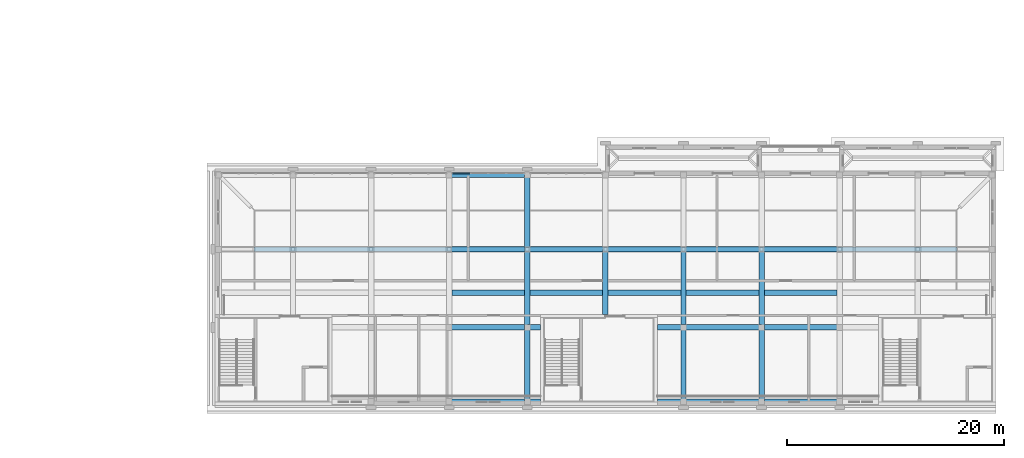
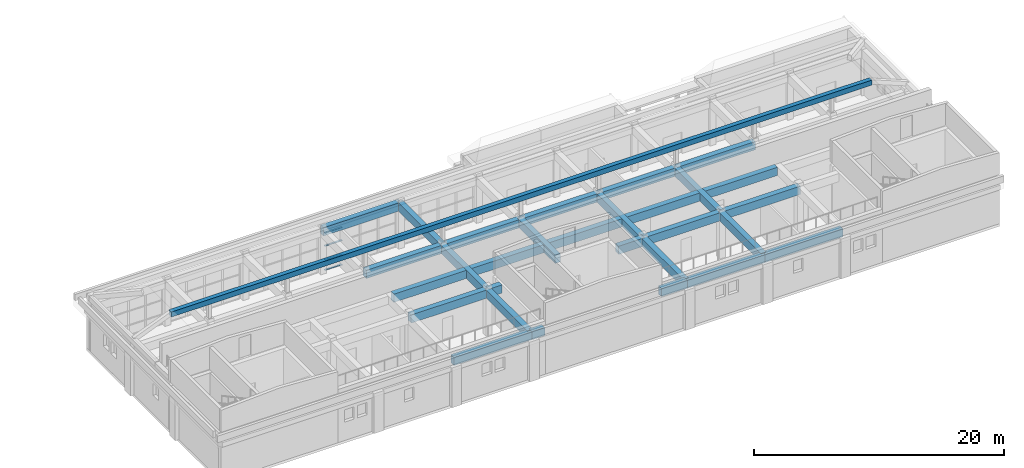
# One storey, part 9 of 48: 30 beams, 4 members, 1 element without a shape of its own.
"""IFC4 building model written with IfcOpenShell, lengths in metres."""

import ifcopenshell
import ifcopenshell.guid

model = None  # the IFC model being written
_history = None  # IfcOwnerHistory: only IFC2X3 demands one
_inside = {}  # id of a spatial element -> (the spatial element, [elements in it])
_under = {}  # id of a project, library or spatial element -> (it, [spatial elements below it])
_declared = {}  # id of a project -> (the project, [libraries it declares])
_typed = {}  # id of a type object -> (the type object, [elements of that type])
_made_of = {}  # id of a material, layer set ... -> (it, [elements and type objects made of it])


def new_model(schema):
    """Start an empty IFC model of exactly this schema.

    Asked for "IFC4X3", IfcOpenShell would pick the latest addendum, in which some entities
    have other attributes; the version numbers below select the first issue.
    IFC2X3 requires an IfcOwnerHistory on every rooted entity: one is made here for all.
    """
    global model, _history
    if schema == "IFC4X3":
        model = ifcopenshell.file(schema_version=(4, 3, 0, 0))
    else:
        model = ifcopenshell.file(schema=schema)
    _inside.clear()
    _under.clear()
    _declared.clear()
    _typed.clear()
    _made_of.clear()
    _history = None
    if model.schema == "IFC2X3":
        org = make("IfcOrganization", Name="unknown")
        user = make(
            "IfcPersonAndOrganization",
            ThePerson=make("IfcPerson", FamilyName="unknown"),
            TheOrganization=org,
        )
        app = make(
            "IfcApplication",
            ApplicationDeveloper=org,
            Version="unknown",
            ApplicationFullName="unknown",
            ApplicationIdentifier="unknown",
        )
        _history = make(
            "IfcOwnerHistory",
            OwningUser=user,
            OwningApplication=app,
            ChangeAction="ADDED",
            CreationDate=0,
        )
    return model


def make(cls, **values):
    """One entity of the class cls with the attributes given. An attribute that is None is left unset."""
    return model.create_entity(
        cls, **{name: value for name, value in values.items() if value is not None}
    )


def rooted(cls, **values):
    """An entity with a GlobalId (a new one), such as an element, a storey or a relation."""
    return make(cls, GlobalId=ifcopenshell.guid.new(), OwnerHistory=_history, **values)


def si_unit(unit_type, name, prefix=None):
    """IfcSIUnit, for example si_unit("LENGTHUNIT", "METRE", prefix="MILLI")."""
    return make("IfcSIUnit", UnitType=unit_type, Prefix=prefix, Name=name)


def assignment(units):
    """IfcUnitAssignment: the units of a project."""
    return None if units is None else make("IfcUnitAssignment", Units=units)


def point(xyz):
    """IfcCartesianPoint."""
    return None if xyz is None else make("IfcCartesianPoint", Coordinates=xyz)


def direction(xyz):
    """IfcDirection."""
    return None if xyz is None else make("IfcDirection", DirectionRatios=xyz)


def frame(location, z_axis=None, x_axis=None):
    """IfcAxis2Placement3D, a coordinate frame: its origin and axes. An axis left out is left unset."""
    return make(
        "IfcAxis2Placement3D",
        Location=point(location),
        Axis=direction(z_axis),
        RefDirection=direction(x_axis),
    )


def frame_2d(location, x_axis=None):
    """IfcAxis2Placement2D, a coordinate frame in the plane: its origin and x axis."""
    return make(
        "IfcAxis2Placement2D", Location=point(location), RefDirection=direction(x_axis)
    )


def origin():
    """The frame at (0, 0, 0) with its axes left unset."""
    return frame((0.0, 0.0, 0.0))


def origin_2d():
    """The frame at (0, 0) in the plane with its x axis left unset."""
    return frame_2d((0.0, 0.0))


def place(relative_to, where):
    """IfcLocalPlacement: puts the frame where relative to a parent placement (None: the world)."""
    return make(
        "IfcLocalPlacement", PlacementRelTo=relative_to, RelativePlacement=where
    )


def context(
    kind, dimensions, precision=None, world=None, true_north=None, identifier=None
):
    """IfcGeometricRepresentationContext, for example the 3D "Model" context."""
    return make(
        "IfcGeometricRepresentationContext",
        ContextIdentifier=identifier,
        ContextType=kind,
        CoordinateSpaceDimension=dimensions,
        Precision=precision,
        WorldCoordinateSystem=world,
        TrueNorth=true_north,
    )


def subcontext(parent, identifier, kind, view, scale=None):
    """IfcGeometricRepresentationSubContext, for example "Body" below "Model"."""
    return make(
        "IfcGeometricRepresentationSubContext",
        ContextIdentifier=identifier,
        ContextType=kind,
        ParentContext=parent,
        TargetScale=scale,
        TargetView=view,
    )


def project(units=None, contexts=None):
    """IfcProject with its units and contexts."""
    return rooted(
        "IfcProject",
        Name="project",
        RepresentationContexts=contexts,
        UnitsInContext=assignment(units),
    )


def spatial(cls, under=None, at=None, **own):
    """A site, building, storey or space (cls), placed at a placement, below another one or the project."""
    s = rooted(cls, ObjectPlacement=at, **own)
    if under is not None:
        _under.setdefault(under.id(), (under, []))[1].append(s)
    return s


def profile(cls, at=None, kind="AREA", **sizes):
    """A parametric profile (cls). Its sizes go by their IFC names, for example OverallWidth=200.0."""
    return make(cls, ProfileType=kind, Position=at, **sizes)


def rectangle(**sizes):
    """IfcRectangleProfileDef."""
    return profile("IfcRectangleProfileDef", **sizes)


def extrude(swept, where, along, depth):
    """IfcExtrudedAreaSolid: the profile swept, set in the frame where, extruded along a direction by depth."""
    return make(
        "IfcExtrudedAreaSolid",
        SweptArea=swept,
        Position=where,
        ExtrudedDirection=direction(along),
        Depth=depth,
    )


def shape(context_of_items, identifier, shape_type, items):
    """IfcShapeRepresentation: the items that make up one representation, for example the "Body"."""
    return make(
        "IfcShapeRepresentation",
        ContextOfItems=context_of_items,
        RepresentationIdentifier=identifier,
        RepresentationType=shape_type,
        Items=items,
    )


def material(Name=None, Category=None):
    """IfcMaterial."""
    return make("IfcMaterial", Name=Name, Category=Category)


def material_profile(
    of_material, cross_section, Name=None, Category=None, Priority=None
):
    """IfcMaterialProfile: a cross section and its material."""
    return make(
        "IfcMaterialProfile",
        Name=Name,
        Material=of_material,
        Profile=cross_section,
        Priority=Priority,
        Category=Category,
    )


def profile_set(profiles, Name=None, composite=None):
    """IfcMaterialProfileSet."""
    return make(
        "IfcMaterialProfileSet",
        Name=Name,
        MaterialProfiles=profiles,
        CompositeProfile=composite,
    )


def made_of(thing, what):
    """Note that an element or type object is made of a material, layer set ...; save() writes the relation."""
    if what is not None:
        _made_of.setdefault(what.id(), (what, []))[1].append(thing)
    return thing


def type_object(cls, material=None, **own):
    """A type object (cls), such as IfcWallType, which elements share."""
    return made_of(rooted(cls, **own), material)


def element(
    cls,
    number,
    at=None,
    inside=None,
    cuts=None,
    type_object=None,
    material=None,
    context=None,
    identifier="Body",
    shape_type=None,
    held_by="IfcProductDefinitionShape",
    body=None,
    shapes=None,
    **own,
):
    """One element of the class cls, such as IfcWall. Its Tag is "e" and its number.

    at: its placement. inside: the storey or other place that contains it. cuts: it is an
    opening in that element (IfcRelVoidsElement). A single representation is given by context,
    identifier, shape_type and body (its items); several are given by shapes. held_by: the class
    of the entity that holds the representations. save() writes the other relations.
    """
    e = rooted(cls, Tag="e%d" % number, ObjectPlacement=at, **own)
    if body is not None:
        shapes = [shape(context, identifier, shape_type, body)]
    if shapes is not None:
        e.Representation = make(held_by, Representations=shapes)
    if inside is not None:
        _inside.setdefault(inside.id(), (inside, []))[1].append(e)
    if cuts is not None:
        rooted(
            "IfcRelVoidsElement", RelatingBuildingElement=cuts, RelatedOpeningElement=e
        )
    if type_object is not None:
        _typed.setdefault(type_object.id(), (type_object, []))[1].append(e)
    return made_of(e, material)


def aggregate(whole, parts):
    """IfcRelAggregates: a whole, such as a stair, and the parts it consists of."""
    return rooted("IfcRelAggregates", RelatingObject=whole, RelatedObjects=parts)


def save(model, path):
    """Write the relations noted so far, then the file.

    IfcRelAggregates (storeys below a building ...), IfcRelContainedInSpatialStructure (elements
    in a storey), IfcRelDefinesByType, IfcRelAssociatesMaterial and IfcRelDeclares: one each for
    every whole, place, type object, material and project.
    """
    for whole, parts in _under.values():
        aggregate(whole, parts)
    for where, things in _inside.values():
        rooted(
            "IfcRelContainedInSpatialStructure",
            RelatedElements=things,
            RelatingStructure=where,
        )
    for kind, things in _typed.values():
        rooted("IfcRelDefinesByType", RelatedObjects=things, RelatingType=kind)
    for what, things in _made_of.values():
        rooted("IfcRelAssociatesMaterial", RelatedObjects=things, RelatingMaterial=what)
    for by, libraries in _declared.values():
        rooted("IfcRelDeclares", RelatingContext=by, RelatedDefinitions=libraries)
    model.write(path)


model = new_model("IFC4")

# Units and contexts
model_context = context("Model", 3, precision=1e-05, world=origin(), true_north=direction((0.0, 1.0)))
body_context = subcontext(model_context, "Body", "Model", "MODEL_VIEW")
ifc_project = project(units=[si_unit("LENGTHUNIT", "METRE"), si_unit("AREAUNIT", "SQUARE_METRE"), si_unit("VOLUMEUNIT", "CUBIC_METRE"), si_unit("PLANEANGLEUNIT", "RADIAN"), si_unit("MASSUNIT", "GRAM", prefix="KILO")], contexts=[model_context])

# Site, building, storey
site_placement = place(None, origin())
site = spatial("IfcSite", under=ifc_project, at=site_placement, CompositionType="ELEMENT")
building_placement = place(site_placement, origin())
building = spatial("IfcBuilding", under=site, at=building_placement, Name="Alderwick Market Hall", CompositionType="ELEMENT")
storey_placement = place(building_placement, frame((0.0, 0.0, 14.39990234375)))
storey = spatial("IfcBuildingStorey", under=building, at=storey_placement, Name="L02", CompositionType="ELEMENT", Elevation=14.39990234375)

# Curtain wall, members
ifc_material_1 = material(Name="C Curtain Wall 1800 module")
curtain_wall_type = type_object("IfcCurtainWallType", Name="C Curtain Wall 1800 module", PredefinedType="NOTDEFINED", material=ifc_material_1)
curtain_wall_placement = place(storey_placement, origin())
curtain_wall = element("IfcCurtainWall", 1, at=curtain_wall_placement, inside=storey, type_object=curtain_wall_type, Name="C.cw.L02.05", PredefinedType="NOTDEFINED")
ifc_material_2 = material(Name="Aluminium alloy 6063-T6", Category="aluminium")
ifc_material_profile_1 = material_profile(ifc_material_2, rectangle(XDim=0.1201171875, YDim=0.06005859375, at=origin_2d()), Name="AL 60x120")
ifc_profile_set_1 = profile_set([ifc_material_profile_1], Name="Aluminium alloy 6063-T6")
member_type = type_object("IfcMemberType", Name="C Curtain Wall Transom 60x120", PredefinedType="USERDEFINED", material=ifc_profile_set_1)
member_1_placement = place(storey_placement, frame((180.3349609375, 28.60009765625, 0.030029296875), z_axis=(1.0, 0.0, 0.0), x_axis=(0.0, 1.0, 0.0)))
member_1 = element("IfcMember", 2, at=member_1_placement, type_object=member_type, Name="C-CW transom 1.1", ObjectType="TRANSOM", PredefinedType="USERDEFINED", context=body_context, shape_type="SweptSolid", body=[
    extrude(rectangle(XDim=0.1201171875, YDim=0.06005859375, at=origin_2d()), origin(), (0.0, 0.0, 1.0), 1.572509765625),
])
member_2_placement = place(storey_placement, frame((180.3349609375, 28.60009765625, 1.0), z_axis=(1.0, 0.0, 0.0), x_axis=(0.0, 1.0, 0.0)))
member_2 = element("IfcMember", 3, at=member_2_placement, type_object=member_type, Name="C-CW transom 1.2", ObjectType="TRANSOM", PredefinedType="USERDEFINED", context=body_context, shape_type="SweptSolid", body=[
    extrude(rectangle(XDim=0.1201171875, YDim=0.06005859375, at=origin_2d()), origin(), (0.0, 0.0, 1.0), 1.572509765625),
])
member_3_placement = place(storey_placement, frame((180.3349609375, 28.60009765625, 2.400146484375), z_axis=(1.0, 0.0, 0.0), x_axis=(0.0, 1.0, 0.0)))
member_3 = element("IfcMember", 4, at=member_3_placement, type_object=member_type, Name="C-CW transom 1.3", ObjectType="TRANSOM", PredefinedType="USERDEFINED", context=body_context, shape_type="SweptSolid", body=[
    extrude(rectangle(XDim=0.1201171875, YDim=0.06005859375, at=origin_2d()), origin(), (0.0, 0.0, 1.0), 1.572509765625),
])
member_4_placement = place(storey_placement, frame((180.3349609375, 28.60009765625, 3.670166015625), z_axis=(1.0, 0.0, 0.0), x_axis=(0.0, 1.0, 0.0)))
member_4 = element("IfcMember", 5, at=member_4_placement, type_object=member_type, Name="C-CW transom 1.4", ObjectType="TRANSOM", PredefinedType="USERDEFINED", context=body_context, shape_type="SweptSolid", body=[
    extrude(rectangle(XDim=0.1201171875, YDim=0.06005859375, at=origin_2d()), origin(), (0.0, 0.0, 1.0), 1.572509765625),
])
aggregate(curtain_wall, [member_1, member_2, member_3, member_4])

# Beams
ifc_material_3 = material(Name="Concrete 5000 psi (f'c 35 MPa)", Category="concrete")
ifc_material_profile_2 = material_profile(ifc_material_3, rectangle(XDim=0.39990234375, YDim=0.5, at=origin_2d()), Name="RC 400x500")
ifc_profile_set_2 = profile_set([ifc_material_profile_2], Name="Concrete 5000 psi (f'c 35 MPa)")
beam_type_1 = type_object("IfcBeamType", Name="C Ridge Girder RC 400x500", PredefinedType="BEAM", material=ifc_profile_set_2)
beam_1_placement = place(storey_placement, frame((162.0, 21.60009765625, 6.4501953125), z_axis=(1.0, 0.0, 0.0), x_axis=(0.0, 1.0, 0.0)))
element("IfcBeam", 6, at=beam_1_placement, inside=storey, type_object=beam_type_1, Name="C.ridge.L02.1", PredefinedType="BEAM", context=body_context, shape_type="SweptSolid", body=[
    extrude(rectangle(XDim=0.39990234375, YDim=0.5, at=origin_2d()), origin(), (0.0, 0.0, 1.0), 64.800048828125),
])
ifc_material_profile_3 = material_profile(ifc_material_3, rectangle(XDim=0.5, YDim=0.800048828125, at=origin_2d()), Name="RC 500x800")
ifc_profile_set_3 = profile_set([ifc_material_profile_3], Name="Concrete 5000 psi (f'c 35 MPa)")
beam_type_2 = type_object("IfcBeamType", Name="C Roof Girder RC 500x800", PredefinedType="BEAM", material=ifc_profile_set_3)
for number, where, z_axis, x_axis, name in (
    (7, (180.0, 28.449951171875, 4.10009765625), (1.0, 0.0, 0.0), (0.0, 1.0, 0.0), "C.beam.L02.004"),
    (8, (180.0, 21.60009765625, 4.10009765625), (1.0, 0.0, 0.0), (0.0, 1.0, 0.0), "C.beam.L02.014"),
    (9, (187.199951171875, 21.60009765625, 4.10009765625), (1.0, 0.0, 0.0), (0.0, 1.0, 0.0), "C.beam.L02.015"),
):
    element("IfcBeam", number, at=place(storey_placement, frame(where, z_axis=z_axis, x_axis=x_axis)), inside=storey, type_object=beam_type_2, Name=name, PredefinedType="BEAM", context=body_context, shape_type="SweptSolid", body=[
        extrude(rectangle(XDim=0.5, YDim=0.800048828125, at=origin_2d()), origin(), (0.0, 0.0, 1.0), 7.199951171875),
    ])
beam_2_placement = place(storey_placement, frame((194.39990234375, 21.60009765625, 4.10009765625), z_axis=(1.0, 0.0, 0.0), x_axis=(0.0, 1.0, 0.0)))
element("IfcBeam", 10, at=beam_2_placement, inside=storey, type_object=beam_type_2, Name="C.beam.L02.016", PredefinedType="BEAM", context=body_context, shape_type="SweptSolid", body=[
    extrude(rectangle(XDim=0.5, YDim=0.800048828125, at=origin_2d()), origin(), (0.0, 0.0, 1.0), 7.2001953125),
])
for number, where, z_axis, x_axis, name in (
    (11, (201.60009765625, 21.60009765625, 4.10009765625), (1.0, 0.0, 0.0), (0.0, 1.0, 0.0), "C.beam.L02.017"),
    (12, (208.800048828125, 21.60009765625, 4.10009765625), (1.0, 0.0, 0.0), (0.0, 1.0, 0.0), "C.beam.L02.018"),
    (13, (180.0, 14.39990234375, 4.10009765625), (1.0, 0.0, 0.0), (0.0, 1.0, 0.0), "C.beam.L02.023"),
):
    element("IfcBeam", number, at=place(storey_placement, frame(where, z_axis=z_axis, x_axis=x_axis)), inside=storey, type_object=beam_type_2, Name=name, PredefinedType="BEAM", context=body_context, shape_type="SweptSolid", body=[
        extrude(rectangle(XDim=0.5, YDim=0.800048828125, at=origin_2d()), origin(), (0.0, 0.0, 1.0), 7.199951171875),
    ])
beam_3_placement = place(storey_placement, frame((187.199951171875, 14.39990234375, 4.10009765625), z_axis=(1.0, 0.0, 0.0), x_axis=(0.0, 1.0, 0.0)))
element("IfcBeam", 14, at=beam_3_placement, inside=storey, type_object=beam_type_2, Name="C.beam.L02.024", PredefinedType="BEAM", context=body_context, shape_type="SweptSolid", body=[
    extrude(rectangle(XDim=0.5, YDim=0.800048828125, at=origin_2d()), origin(), (0.0, 0.0, 1.0), 1.200927734375),
])
beam_4_placement = place(storey_placement, frame((199.198974609375, 14.39990234375, 4.10009765625), z_axis=(1.0, 0.0, 0.0), x_axis=(0.0, 1.0, 0.0)))
element("IfcBeam", 15, at=beam_4_placement, inside=storey, type_object=beam_type_2, Name="C.beam.L02.025", PredefinedType="BEAM", context=body_context, shape_type="SweptSolid", body=[
    extrude(rectangle(XDim=0.5, YDim=0.800048828125, at=origin_2d()), origin(), (0.0, 0.0, 1.0), 2.401123046875),
])
for number, where, z_axis, x_axis, name in (
    (16, (201.60009765625, 14.39990234375, 4.10009765625), (1.0, 0.0, 0.0), (0.0, 1.0, 0.0), "C.beam.L02.026"),
    (17, (208.800048828125, 14.39990234375, 4.10009765625), (1.0, 0.0, 0.0), (0.0, 1.0, 0.0), "C.beam.L02.027"),
    (18, (180.0, 7.550048828125, 4.10009765625), (1.0, 0.0, 0.0), (0.0, 1.0, 0.0), "C.beam.L02.031"),
):
    element("IfcBeam", number, at=place(storey_placement, frame(where, z_axis=z_axis, x_axis=x_axis)), inside=storey, type_object=beam_type_2, Name=name, PredefinedType="BEAM", context=body_context, shape_type="SweptSolid", body=[
        extrude(rectangle(XDim=0.5, YDim=0.800048828125, at=origin_2d()), origin(), (0.0, 0.0, 1.0), 7.199951171875),
    ])
beam_5_placement = place(storey_placement, frame((187.199951171875, 7.550048828125, 4.10009765625), z_axis=(1.0, 0.0, 0.0), x_axis=(0.0, 1.0, 0.0)))
element("IfcBeam", 19, at=beam_5_placement, inside=storey, type_object=beam_type_2, Name="C.beam.L02.032", PredefinedType="BEAM", context=body_context, shape_type="SweptSolid", body=[
    extrude(rectangle(XDim=0.5, YDim=0.800048828125, at=origin_2d()), origin(), (0.0, 0.0, 1.0), 1.200927734375),
])
beam_6_placement = place(storey_placement, frame((199.198974609375, 7.550048828125, 4.10009765625), z_axis=(1.0, 0.0, 0.0), x_axis=(0.0, 1.0, 0.0)))
element("IfcBeam", 20, at=beam_6_placement, inside=storey, type_object=beam_type_2, Name="C.beam.L02.033", PredefinedType="BEAM", context=body_context, shape_type="SweptSolid", body=[
    extrude(rectangle(XDim=0.5, YDim=0.800048828125, at=origin_2d()), origin(), (0.0, 0.0, 1.0), 2.401123046875),
])
for number, where, z_axis, x_axis, name in (
    (21, (201.60009765625, 7.550048828125, 4.10009765625), (1.0, 0.0, 0.0), (0.0, 1.0, 0.0), "C.beam.L02.034"),
    (22, (208.800048828125, 7.550048828125, 4.10009765625), (1.0, 0.0, 0.0), (0.0, 1.0, 0.0), "C.beam.L02.035"),
):
    element("IfcBeam", number, at=place(storey_placement, frame(where, z_axis=z_axis, x_axis=x_axis)), inside=storey, type_object=beam_type_2, Name=name, PredefinedType="BEAM", context=body_context, shape_type="SweptSolid", body=[
        extrude(rectangle(XDim=0.5, YDim=0.800048828125, at=origin_2d()), origin(), (0.0, 0.0, 1.0), 7.199951171875),
    ])
beam_7_placement = place(storey_placement, frame((187.199951171875, 28.449951171875, 4.10009765625), z_axis=(0.0, -1.0, 0.0), x_axis=(1.0, 0.0, 0.0)))
element("IfcBeam", 23, at=beam_7_placement, inside=storey, type_object=beam_type_2, Name="C.beam.L02.047", PredefinedType="BEAM", context=body_context, shape_type="SweptSolid", body=[
    extrude(rectangle(XDim=0.5, YDim=0.800048828125, at=origin_2d()), origin(), (0.0, 0.0, 1.0), 6.849853515625),
])
beam_8_placement = place(storey_placement, frame((187.199951171875, 21.60009765625, 4.10009765625), z_axis=(0.0, -1.0, 0.0), x_axis=(1.0, 0.0, 0.0)))
element("IfcBeam", 24, at=beam_8_placement, inside=storey, type_object=beam_type_2, Name="C.beam.L02.048", PredefinedType="BEAM", context=body_context, shape_type="SweptSolid", body=[
    extrude(rectangle(XDim=0.5, YDim=0.800048828125, at=origin_2d()), origin(), (0.0, 0.0, 1.0), 7.2001953125),
])
beam_9_placement = place(storey_placement, frame((187.199951171875, 14.39990234375, 4.10009765625), z_axis=(0.0, -1.0, 0.0), x_axis=(1.0, 0.0, 0.0)))
element("IfcBeam", 25, at=beam_9_placement, inside=storey, type_object=beam_type_2, Name="C.beam.L02.049", PredefinedType="BEAM", context=body_context, shape_type="SweptSolid", body=[
    extrude(rectangle(XDim=0.5, YDim=0.800048828125, at=origin_2d()), origin(), (0.0, 0.0, 1.0), 6.849853515625),
])
beam_10_placement = place(storey_placement, frame((194.39990234375, 21.60009765625, 4.10009765625), z_axis=(0.0, -1.0, 0.0), x_axis=(1.0, 0.0, 0.0)))
element("IfcBeam", 26, at=beam_10_placement, inside=storey, type_object=beam_type_2, Name="C.beam.L02.051", PredefinedType="BEAM", context=body_context, shape_type="SweptSolid", body=[
    extrude(rectangle(XDim=0.5, YDim=0.800048828125, at=origin_2d()), origin(), (0.0, 0.0, 1.0), 6.0009765625),
])
beam_11_placement = place(storey_placement, frame((201.60009765625, 21.60009765625, 4.10009765625), z_axis=(0.0, -1.0, 0.0), x_axis=(1.0, 0.0, 0.0)))
element("IfcBeam", 27, at=beam_11_placement, inside=storey, type_object=beam_type_2, Name="C.beam.L02.053", PredefinedType="BEAM", context=body_context, shape_type="SweptSolid", body=[
    extrude(rectangle(XDim=0.5, YDim=0.800048828125, at=origin_2d()), origin(), (0.0, 0.0, 1.0), 7.2001953125),
])
beam_12_placement = place(storey_placement, frame((201.60009765625, 14.39990234375, 4.10009765625), z_axis=(0.0, -1.0, 0.0), x_axis=(1.0, 0.0, 0.0)))
element("IfcBeam", 28, at=beam_12_placement, inside=storey, type_object=beam_type_2, Name="C.beam.L02.054", PredefinedType="BEAM", context=body_context, shape_type="SweptSolid", body=[
    extrude(rectangle(XDim=0.5, YDim=0.800048828125, at=origin_2d()), origin(), (0.0, 0.0, 1.0), 6.849853515625),
])
beam_13_placement = place(storey_placement, frame((208.800048828125, 21.60009765625, 4.10009765625), z_axis=(0.0, -1.0, 0.0), x_axis=(1.0, 0.0, 0.0)))
element("IfcBeam", 29, at=beam_13_placement, inside=storey, type_object=beam_type_2, Name="C.beam.L02.056", PredefinedType="BEAM", context=body_context, shape_type="SweptSolid", body=[
    extrude(rectangle(XDim=0.5, YDim=0.800048828125, at=origin_2d()), origin(), (0.0, 0.0, 1.0), 7.2001953125),
])
beam_14_placement = place(storey_placement, frame((208.800048828125, 14.39990234375, 4.10009765625), z_axis=(0.0, -1.0, 0.0), x_axis=(1.0, 0.0, 0.0)))
element("IfcBeam", 30, at=beam_14_placement, inside=storey, type_object=beam_type_2, Name="C.beam.L02.057", PredefinedType="BEAM", context=body_context, shape_type="SweptSolid", body=[
    extrude(rectangle(XDim=0.5, YDim=0.800048828125, at=origin_2d()), origin(), (0.0, 0.0, 1.0), 6.849853515625),
])
for number, where, z_axis, x_axis, name in (
    (31, (180.25, 17.60009765625, 4.10009765625), (1.0, 0.0, 0.0), (0.0, 1.0, 0.0), "C.rgirder.L02.04"),
    (32, (187.449951171875, 17.60009765625, 4.10009765625), (1.0, 0.0, 0.0), (0.0, 1.0, 0.0), "C.rgirder.L02.05"),
):
    element("IfcBeam", number, at=place(storey_placement, frame(where, z_axis=z_axis, x_axis=x_axis)), inside=storey, type_object=beam_type_2, Name=name, PredefinedType="BEAM", context=body_context, shape_type="SweptSolid", body=[
        extrude(rectangle(XDim=0.5, YDim=0.800048828125, at=origin_2d()), origin(), (0.0, 0.0, 1.0), 6.699951171875),
    ])
beam_15_placement = place(storey_placement, frame((194.64990234375, 17.60009765625, 4.10009765625), z_axis=(1.0, 0.0, 0.0), x_axis=(0.0, 1.0, 0.0)))
element("IfcBeam", 33, at=beam_15_placement, inside=storey, type_object=beam_type_2, Name="C.rgirder.L02.06", PredefinedType="BEAM", context=body_context, shape_type="SweptSolid", body=[
    extrude(rectangle(XDim=0.5, YDim=0.800048828125, at=origin_2d()), origin(), (0.0, 0.0, 1.0), 6.7001953125),
])
for number, where, z_axis, x_axis, name in (
    (34, (201.85009765625, 17.60009765625, 4.10009765625), (1.0, 0.0, 0.0), (0.0, 1.0, 0.0), "C.rgirder.L02.07"),
    (35, (209.050048828125, 17.60009765625, 4.10009765625), (1.0, 0.0, 0.0), (0.0, 1.0, 0.0), "C.rgirder.L02.08"),
):
    element("IfcBeam", number, at=place(storey_placement, frame(where, z_axis=z_axis, x_axis=x_axis)), inside=storey, type_object=beam_type_2, Name=name, PredefinedType="BEAM", context=body_context, shape_type="SweptSolid", body=[
        extrude(rectangle(XDim=0.5, YDim=0.800048828125, at=origin_2d()), origin(), (0.0, 0.0, 1.0), 6.699951171875),
    ])

save(model, "model.ifc")
